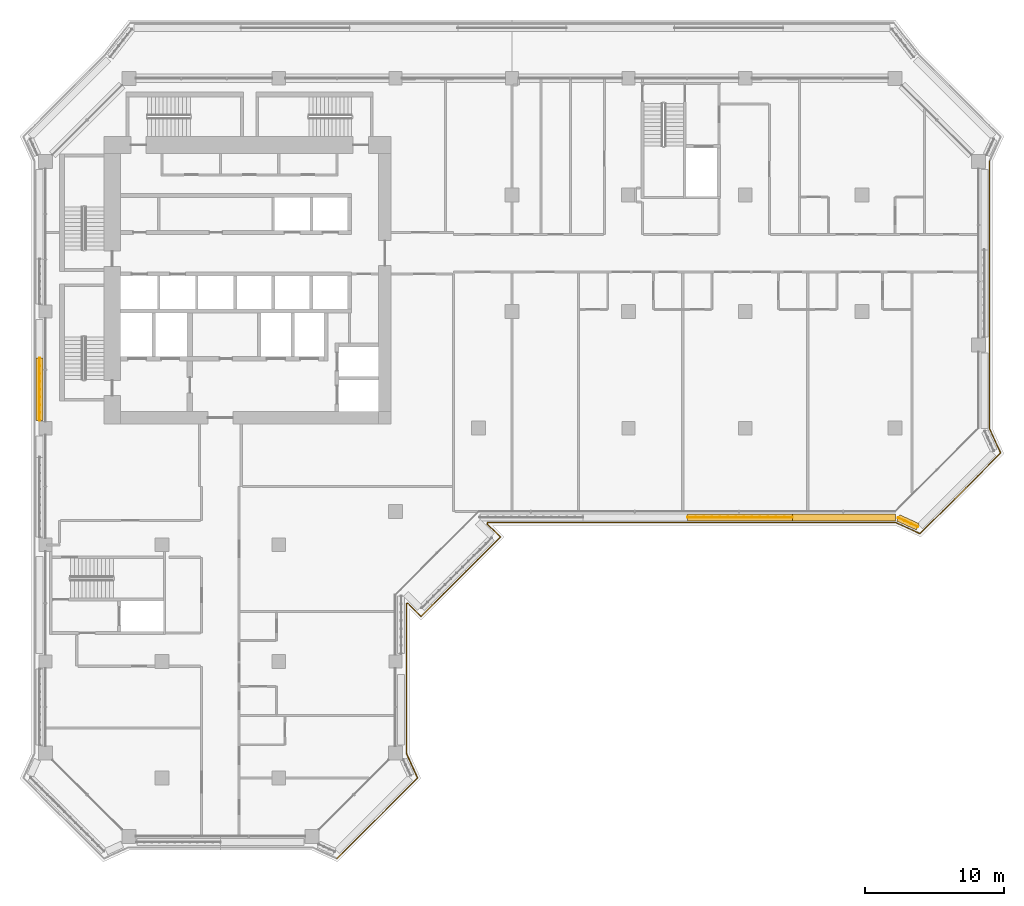
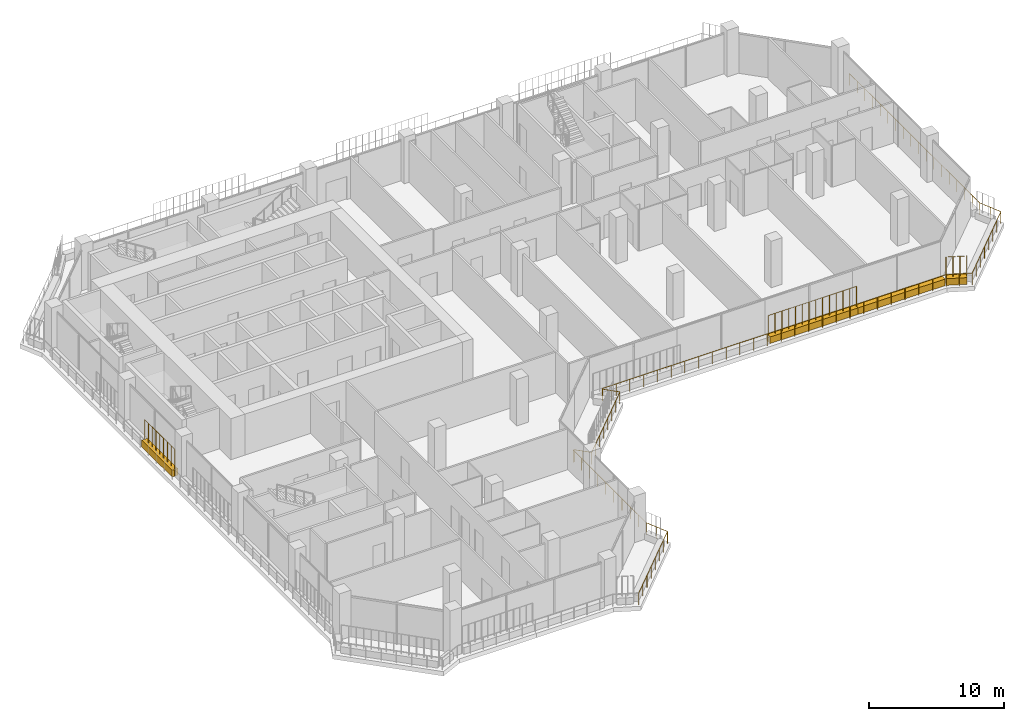
# One storey, part 19 of 22: 4 coverings, 4 railings.
"""IFC4 building model written with IfcOpenShell, lengths in metres."""

from ifc_helpers import new_model, si_unit, direction, frame, origin, origin_2d, place, context, subcontext, project, spatial, rectangle, circle, extrude, material, material_profile, profile_set, type_object, element, save


model = new_model("IFC4")

# Units and contexts
model_context = context("Model", 3, precision=1e-05, world=origin(), true_north=direction((0.0, 1.0)))
body_context = subcontext(model_context, "Body", "Model", "MODEL_VIEW")
ifc_project = project(units=[si_unit("LENGTHUNIT", "METRE"), si_unit("AREAUNIT", "SQUARE_METRE"), si_unit("VOLUMEUNIT", "CUBIC_METRE"), si_unit("PLANEANGLEUNIT", "RADIAN"), si_unit("MASSUNIT", "GRAM", prefix="KILO")], contexts=[model_context])

# Site, building, storey
site_placement = place(None, origin())
site = spatial("IfcSite", under=ifc_project, at=site_placement, CompositionType="ELEMENT")
building_placement = place(site_placement, origin())
building = spatial("IfcBuilding", under=site, at=building_placement, Name="Kawkab Arch Medical Tower", CompositionType="ELEMENT")
storey_placement = place(building_placement, frame((0.0, 0.0, 208.800048828125)))
storey = spatial("IfcBuildingStorey", under=building, at=storey_placement, Name="L48", CompositionType="ELEMENT", Elevation=208.800048828125)

# Railing
ifc_material_1 = material(Name="Bronze anodised aluminium guard", Category="aluminium")
railing_type_1 = type_object("IfcRailingType", Name="Loggia and terrace guard 1100", PredefinedType="GUARDRAIL", material=ifc_material_1)
railing_1_placement = place(storey_placement, frame((68.0, -5.95703125, 0.0)))
element("IfcRailing", 1, at=railing_1_placement, inside=storey, type_object=railing_type_1, Name="Guard L48.LOG-01.1.2", PredefinedType="GUARDRAIL", context=body_context, shape_type="SweptSolid", body=[
    extrude(circle(Radius=0.02392578125, at=origin_2d()), frame((0.0, 0.0, 1.076171875), z_axis=(0.0, -1.0, 0.0), x_axis=(1.0, 0.0, 0.0)), (0.0, 0.0, 1.0), 19.285888671875),
    extrude(circle(Radius=0.02392578125, at=origin_2d()), frame((0.0, -19.285888671875, 1.076171875), z_axis=(0.414509773934, -0.910044860056, 0.0), x_axis=(0.910044860056, 0.414509773934, 0.0)), (0.0, 0.0, 1.0), 1.92529296875),
    extrude(circle(Radius=0.02392578125, at=origin_2d()), frame((0.798095703125, -21.0380859375, 1.076171875), z_axis=(-0.707106781187, -0.707106781187, 0.0), x_axis=(0.707106781187, -0.707106781187, 0.0)), (0.0, 0.0, 1.0), 8.20654296875),
    extrude(circle(Radius=0.02392578125, at=origin_2d()), frame((-5.0048828125, -26.841064453125, 1.076171875), z_axis=(-0.910044860056, 0.414509773934, 0.0), x_axis=(-0.414509773934, -0.910044860056, 0.0)), (0.0, 0.0, 1.0), 1.92529296875),
    extrude(circle(Radius=0.02392578125, at=origin_2d()), frame((-6.757080078125, -26.04296875, 1.076171875), z_axis=(-1.0, 0.0, 0.0), x_axis=(0.0, -1.0, 0.0)), (0.0, 0.0, 1.0), 29.392822265625),
    extrude(circle(Radius=0.02392578125, at=origin_2d()), frame((-36.14990234375, -26.04296875, 1.076171875), z_axis=(-0.383763674343, -0.923431341387, 0.0), x_axis=(0.923431341387, -0.383763674343, 0.0)), (0.0, 0.0, 1.0), 0.101806640625),
    extrude(circle(Radius=0.02392578125, at=origin_2d()), frame((-36.18896484375, -26.136962890625, 1.076171875), z_axis=(0.707015335112, -0.707198215437, 0.0), x_axis=(0.707198215437, 0.707015335112, 0.0)), (0.0, 0.0, 1.0), 1.3349609375),
    extrude(circle(Radius=0.02392578125, at=origin_2d()), frame((-35.2451171875, -27.0810546875, 1.076171875), z_axis=(-0.707106781187, -0.707106781187, 0.0), x_axis=(0.707106781187, -0.707106781187, 0.0)), (0.0, 0.0, 1.0), 8.084716796875),
    extrude(circle(Radius=0.02392578125, at=origin_2d()), frame((-40.9619140625, -32.7978515625, 1.076171875), z_axis=(-0.707198215437, 0.707015335112, 0.0), x_axis=(-0.707015335112, -0.707198215437, 0.0)), (0.0, 0.0, 1.0), 1.3349609375),
    extrude(circle(Radius=0.02392578125, at=origin_2d()), frame((-41.906005859375, -31.85400390625, 1.076171875), z_axis=(-0.923431341387, -0.383763674343, 0.0), x_axis=(0.383763674343, -0.923431341387, 0.0)), (0.0, 0.0, 1.0), 0.101806640625),
    extrude(circle(Radius=0.02392578125, at=origin_2d()), frame((-42.0, -31.89306640625, 1.076171875), z_axis=(0.0, -1.0, 0.0), x_axis=(1.0, 0.0, 0.0)), (0.0, 0.0, 1.0), 10.79296875),
    extrude(circle(Radius=0.02392578125, at=origin_2d()), frame((-42.0, -42.68603515625, 1.076171875), z_axis=(0.414557610759, -0.910023069687, 0.0), x_axis=(0.910023069687, 0.414557610759, 0.0)), (0.0, 0.0, 1.0), 1.92529296875),
    extrude(circle(Radius=0.02392578125, at=origin_2d()), frame((-41.201904296875, -44.43798828125, 1.076171875), z_axis=(-0.707106781187, -0.707106781187, 0.0), x_axis=(0.707106781187, -0.707106781187, 0.0)), (0.0, 0.0, 1.0), 8.20654296875),
    extrude(circle(Radius=0.02099609375, at=origin_2d()), origin(), (0.0, 0.0, 1.0), 1.052001953125),
    extrude(circle(Radius=0.02099609375, at=origin_2d()), frame((0.0, -1.134521484375, 0.0)), (0.0, 0.0, 1.0), 1.052001953125),
    extrude(circle(Radius=0.02099609375, at=origin_2d()), frame((0.0, -2.26904296875, 0.0)), (0.0, 0.0, 1.0), 1.052001953125),
    extrude(circle(Radius=0.02099609375, at=origin_2d()), frame((0.0, -3.4033203125, 0.0)), (0.0, 0.0, 1.0), 1.052001953125),
    extrude(circle(Radius=0.02099609375, at=origin_2d()), frame((0.0, -4.537841796875, 0.0)), (0.0, 0.0, 1.0), 1.052001953125),
    extrude(circle(Radius=0.02099609375, at=origin_2d()), frame((0.0, -5.67236328125, 0.0)), (0.0, 0.0, 1.0), 1.052001953125),
    extrude(circle(Radius=0.02099609375, at=origin_2d()), frame((0.0, -6.806884765625, 0.0)), (0.0, 0.0, 1.0), 1.052001953125),
    extrude(circle(Radius=0.02099609375, at=origin_2d()), frame((0.0, -7.941162109375, 0.0)), (0.0, 0.0, 1.0), 1.052001953125),
    extrude(circle(Radius=0.02099609375, at=origin_2d()), frame((0.0, -9.07568359375, 0.0)), (0.0, 0.0, 1.0), 1.052001953125),
    extrude(circle(Radius=0.02099609375, at=origin_2d()), frame((0.0, -10.210205078125, 0.0)), (0.0, 0.0, 1.0), 1.052001953125),
    extrude(circle(Radius=0.02099609375, at=origin_2d()), frame((0.0, -11.3447265625, 0.0)), (0.0, 0.0, 1.0), 1.052001953125),
    extrude(circle(Radius=0.02099609375, at=origin_2d()), frame((0.0, -12.47900390625, 0.0)), (0.0, 0.0, 1.0), 1.052001953125),
    extrude(circle(Radius=0.02099609375, at=origin_2d()), frame((0.0, -13.613525390625, 0.0)), (0.0, 0.0, 1.0), 1.052001953125),
    extrude(circle(Radius=0.02099609375, at=origin_2d()), frame((0.0, -14.748046875, 0.0)), (0.0, 0.0, 1.0), 1.052001953125),
    extrude(circle(Radius=0.02099609375, at=origin_2d()), frame((0.0, -15.882568359375, 0.0)), (0.0, 0.0, 1.0), 1.052001953125),
    extrude(circle(Radius=0.02099609375, at=origin_2d()), frame((0.0, -17.016845703125, 0.0)), (0.0, 0.0, 1.0), 1.052001953125),
    extrude(circle(Radius=0.02099609375, at=origin_2d()), frame((0.0, -18.1513671875, 0.0)), (0.0, 0.0, 1.0), 1.052001953125),
    extrude(circle(Radius=0.02099609375, at=origin_2d()), frame((0.0, -19.285888671875, 0.0)), (0.0, 0.0, 1.0), 1.052001953125),
    extrude(circle(Radius=0.02099609375, at=origin_2d()), frame((0.39892578125, -20.162109375, 0.0)), (0.0, 0.0, 1.0), 1.052001953125),
    extrude(circle(Radius=0.02099609375, at=origin_2d()), frame((0.798095703125, -21.0380859375, 0.0)), (0.0, 0.0, 1.0), 1.052001953125),
    extrude(circle(Radius=0.02099609375, at=origin_2d()), frame((-0.031005859375, -21.8671875, 0.0)), (0.0, 0.0, 1.0), 1.052001953125),
    extrude(circle(Radius=0.02099609375, at=origin_2d()), frame((-0.85986328125, -22.696044921875, 0.0)), (0.0, 0.0, 1.0), 1.052001953125),
    extrude(circle(Radius=0.02099609375, at=origin_2d()), frame((-1.68896484375, -23.525146484375, 0.0)), (0.0, 0.0, 1.0), 1.052001953125),
    extrude(circle(Radius=0.02099609375, at=origin_2d()), frame((-2.517822265625, -24.35400390625, 0.0)), (0.0, 0.0, 1.0), 1.052001953125),
    extrude(circle(Radius=0.02099609375, at=origin_2d()), frame((-3.346923828125, -25.18310546875, 0.0)), (0.0, 0.0, 1.0), 1.052001953125),
    extrude(circle(Radius=0.02099609375, at=origin_2d()), frame((-4.17578125, -26.011962890625, 0.0)), (0.0, 0.0, 1.0), 1.052001953125),
    extrude(circle(Radius=0.02099609375, at=origin_2d()), frame((-5.0048828125, -26.841064453125, 0.0)), (0.0, 0.0, 1.0), 1.052001953125),
    extrude(circle(Radius=0.02099609375, at=origin_2d()), frame((-5.880859375, -26.44189453125, 0.0)), (0.0, 0.0, 1.0), 1.052001953125),
    extrude(circle(Radius=0.02099609375, at=origin_2d()), frame((-6.757080078125, -26.04296875, 0.0)), (0.0, 0.0, 1.0), 1.052001953125),
    extrude(circle(Radius=0.02099609375, at=origin_2d()), frame((-7.932861328125, -26.04296875, 0.0)), (0.0, 0.0, 1.0), 1.052001953125),
    extrude(circle(Radius=0.02099609375, at=origin_2d()), frame((-9.1083984375, -26.04296875, 0.0)), (0.0, 0.0, 1.0), 1.052001953125),
    extrude(circle(Radius=0.02099609375, at=origin_2d()), frame((-10.2841796875, -26.04296875, 0.0)), (0.0, 0.0, 1.0), 1.052001953125),
    extrude(circle(Radius=0.02099609375, at=origin_2d()), frame((-11.4599609375, -26.04296875, 0.0)), (0.0, 0.0, 1.0), 1.052001953125),
    extrude(circle(Radius=0.02099609375, at=origin_2d()), frame((-12.6357421875, -26.04296875, 0.0)), (0.0, 0.0, 1.0), 1.052001953125),
    extrude(circle(Radius=0.02099609375, at=origin_2d()), frame((-13.811279296875, -26.04296875, 0.0)), (0.0, 0.0, 1.0), 1.052001953125),
    extrude(circle(Radius=0.02099609375, at=origin_2d()), frame((-14.987060546875, -26.04296875, 0.0)), (0.0, 0.0, 1.0), 1.052001953125),
    extrude(circle(Radius=0.02099609375, at=origin_2d()), frame((-16.162841796875, -26.04296875, 0.0)), (0.0, 0.0, 1.0), 1.052001953125),
    extrude(circle(Radius=0.02099609375, at=origin_2d()), frame((-17.33837890625, -26.04296875, 0.0)), (0.0, 0.0, 1.0), 1.052001953125),
    extrude(circle(Radius=0.02099609375, at=origin_2d()), frame((-18.51416015625, -26.04296875, 0.0)), (0.0, 0.0, 1.0), 1.052001953125),
    extrude(circle(Radius=0.02099609375, at=origin_2d()), frame((-19.68994140625, -26.04296875, 0.0)), (0.0, 0.0, 1.0), 1.052001953125),
    extrude(circle(Radius=0.02099609375, at=origin_2d()), frame((-20.86572265625, -26.04296875, 0.0)), (0.0, 0.0, 1.0), 1.052001953125),
    extrude(circle(Radius=0.02099609375, at=origin_2d()), frame((-22.041259765625, -26.04296875, 0.0)), (0.0, 0.0, 1.0), 1.052001953125),
    extrude(circle(Radius=0.02099609375, at=origin_2d()), frame((-23.217041015625, -26.04296875, 0.0)), (0.0, 0.0, 1.0), 1.052001953125),
    extrude(circle(Radius=0.02099609375, at=origin_2d()), frame((-24.392822265625, -26.04296875, 0.0)), (0.0, 0.0, 1.0), 1.052001953125),
    extrude(circle(Radius=0.02099609375, at=origin_2d()), frame((-25.568603515625, -26.04296875, 0.0)), (0.0, 0.0, 1.0), 1.052001953125),
    extrude(circle(Radius=0.02099609375, at=origin_2d()), frame((-26.744140625, -26.04296875, 0.0)), (0.0, 0.0, 1.0), 1.052001953125),
    extrude(circle(Radius=0.02099609375, at=origin_2d()), frame((-27.919921875, -26.04296875, 0.0)), (0.0, 0.0, 1.0), 1.052001953125),
    extrude(circle(Radius=0.02099609375, at=origin_2d()), frame((-29.095703125, -26.04296875, 0.0)), (0.0, 0.0, 1.0), 1.052001953125),
    extrude(circle(Radius=0.02099609375, at=origin_2d()), frame((-30.271240234375, -26.04296875, 0.0)), (0.0, 0.0, 1.0), 1.052001953125),
    extrude(circle(Radius=0.02099609375, at=origin_2d()), frame((-31.447021484375, -26.04296875, 0.0)), (0.0, 0.0, 1.0), 1.052001953125),
    extrude(circle(Radius=0.02099609375, at=origin_2d()), frame((-32.622802734375, -26.04296875, 0.0)), (0.0, 0.0, 1.0), 1.052001953125),
    extrude(circle(Radius=0.02099609375, at=origin_2d()), frame((-33.798583984375, -26.04296875, 0.0)), (0.0, 0.0, 1.0), 1.052001953125),
    extrude(circle(Radius=0.02099609375, at=origin_2d()), frame((-34.97412109375, -26.04296875, 0.0)), (0.0, 0.0, 1.0), 1.052001953125),
    extrude(circle(Radius=0.02099609375, at=origin_2d()), frame((-36.14990234375, -26.04296875, 0.0)), (0.0, 0.0, 1.0), 1.052001953125),
    extrude(circle(Radius=0.02099609375, at=origin_2d()), frame((-36.18896484375, -26.136962890625, 0.0)), (0.0, 0.0, 1.0), 1.052001953125),
    extrude(circle(Radius=0.02099609375, at=origin_2d()), frame((-35.717041015625, -26.60888671875, 0.0)), (0.0, 0.0, 1.0), 1.052001953125),
    extrude(circle(Radius=0.02099609375, at=origin_2d()), frame((-35.2451171875, -27.0810546875, 0.0)), (0.0, 0.0, 1.0), 1.052001953125),
    extrude(circle(Radius=0.02099609375, at=origin_2d()), frame((-36.061767578125, -27.897705078125, 0.0)), (0.0, 0.0, 1.0), 1.052001953125),
    extrude(circle(Radius=0.02099609375, at=origin_2d()), frame((-36.87841796875, -28.71435546875, 0.0)), (0.0, 0.0, 1.0), 1.052001953125),
    extrude(circle(Radius=0.02099609375, at=origin_2d()), frame((-37.695068359375, -29.531005859375, 0.0)), (0.0, 0.0, 1.0), 1.052001953125),
    extrude(circle(Radius=0.02099609375, at=origin_2d()), frame((-38.511962890625, -30.347900390625, 0.0)), (0.0, 0.0, 1.0), 1.052001953125),
    extrude(circle(Radius=0.02099609375, at=origin_2d()), frame((-39.32861328125, -31.16455078125, 0.0)), (0.0, 0.0, 1.0), 1.052001953125),
    extrude(circle(Radius=0.02099609375, at=origin_2d()), frame((-40.145263671875, -31.981201171875, 0.0)), (0.0, 0.0, 1.0), 1.052001953125),
    extrude(circle(Radius=0.02099609375, at=origin_2d()), frame((-40.9619140625, -32.7978515625, 0.0)), (0.0, 0.0, 1.0), 1.052001953125),
    extrude(circle(Radius=0.02099609375, at=origin_2d()), frame((-41.43408203125, -32.325927734375, 0.0)), (0.0, 0.0, 1.0), 1.052001953125),
    extrude(circle(Radius=0.02099609375, at=origin_2d()), frame((-41.906005859375, -31.85400390625, 0.0)), (0.0, 0.0, 1.0), 1.052001953125),
    extrude(circle(Radius=0.02099609375, at=origin_2d()), frame((-42.0, -31.89306640625, 0.0)), (0.0, 0.0, 1.0), 1.052001953125),
    extrude(circle(Radius=0.02099609375, at=origin_2d()), frame((-42.0, -33.09228515625, 0.0)), (0.0, 0.0, 1.0), 1.052001953125),
    extrude(circle(Radius=0.02099609375, at=origin_2d()), frame((-42.0, -34.29150390625, 0.0)), (0.0, 0.0, 1.0), 1.052001953125),
    extrude(circle(Radius=0.02099609375, at=origin_2d()), frame((-42.0, -35.49072265625, 0.0)), (0.0, 0.0, 1.0), 1.052001953125),
    extrude(circle(Radius=0.02099609375, at=origin_2d()), frame((-42.0, -36.68994140625, 0.0)), (0.0, 0.0, 1.0), 1.052001953125),
    extrude(circle(Radius=0.02099609375, at=origin_2d()), frame((-42.0, -37.88916015625, 0.0)), (0.0, 0.0, 1.0), 1.052001953125),
    extrude(circle(Radius=0.02099609375, at=origin_2d()), frame((-42.0, -39.08837890625, 0.0)), (0.0, 0.0, 1.0), 1.052001953125),
    extrude(circle(Radius=0.02099609375, at=origin_2d()), frame((-42.0, -40.28759765625, 0.0)), (0.0, 0.0, 1.0), 1.052001953125),
    extrude(circle(Radius=0.02099609375, at=origin_2d()), frame((-42.0, -41.48681640625, 0.0)), (0.0, 0.0, 1.0), 1.052001953125),
    extrude(circle(Radius=0.02099609375, at=origin_2d()), frame((-42.0, -42.68603515625, 0.0)), (0.0, 0.0, 1.0), 1.052001953125),
    extrude(circle(Radius=0.02099609375, at=origin_2d()), frame((-41.60107421875, -43.56201171875, 0.0)), (0.0, 0.0, 1.0), 1.052001953125),
    extrude(circle(Radius=0.02099609375, at=origin_2d()), frame((-41.201904296875, -44.43798828125, 0.0)), (0.0, 0.0, 1.0), 1.052001953125),
    extrude(circle(Radius=0.02099609375, at=origin_2d()), frame((-42.031005859375, -45.26708984375, 0.0)), (0.0, 0.0, 1.0), 1.052001953125),
    extrude(circle(Radius=0.02099609375, at=origin_2d()), frame((-42.85986328125, -46.095947265625, 0.0)), (0.0, 0.0, 1.0), 1.052001953125),
    extrude(circle(Radius=0.02099609375, at=origin_2d()), frame((-43.68896484375, -46.925048828125, 0.0)), (0.0, 0.0, 1.0), 1.052001953125),
    extrude(circle(Radius=0.02099609375, at=origin_2d()), frame((-44.517822265625, -47.75390625, 0.0)), (0.0, 0.0, 1.0), 1.052001953125),
    extrude(circle(Radius=0.02099609375, at=origin_2d()), frame((-45.346923828125, -48.5830078125, 0.0)), (0.0, 0.0, 1.0), 1.052001953125),
    extrude(circle(Radius=0.02099609375, at=origin_2d()), frame((-46.17578125, -49.411865234375, 0.0)), (0.0, 0.0, 1.0), 1.052001953125),
    extrude(circle(Radius=0.02099609375, at=origin_2d()), frame((-47.0048828125, -50.240966796875, 0.0)), (0.0, 0.0, 1.0), 1.052001953125),
])

# Coverings
ifc_material_2 = material(Name="Planting soil in a precast trough", Category="concrete")
ifc_material_profile = material_profile(ifc_material_2, rectangle(XDim=0.5, YDim=0.60009765625, at=origin_2d()), Name="Trough 500x600")
ifc_profile_set = profile_set([ifc_material_profile], Name="Planting soil in a precast trough")
covering_type = type_object("IfcCoveringType", Name="Planter trough 500 x 600", PredefinedType="USERDEFINED", material=ifc_profile_set)
covering_1_placement = place(storey_placement, frame((-0.419921875, -24.64501953125, 0.300048828125), z_axis=(0.0, 1.0, 0.0), x_axis=(-1.0, 0.0, 0.0)))
element("IfcCovering", 2, at=covering_1_placement, inside=storey, type_object=covering_type, Name="Planter L48.LOG-01-01.11", ObjectType="PLANTER", PredefinedType="USERDEFINED", context=body_context, shape_type="SweptSolid", body=[
    extrude(rectangle(XDim=0.5, YDim=0.60009765625, at=origin_2d()), origin(), (0.0, 0.0, 1.0), 4.487060546875),
])
covering_2_placement = place(storey_placement, frame((62.821044921875, -32.302001953125, 0.300048828125), z_axis=(-0.909655525109, 0.415363486165, 0.0), x_axis=(-0.415363486165, -0.909655525109, 0.0)))
element("IfcCovering", 3, at=covering_2_placement, inside=storey, type_object=covering_type, Name="Planter L48.LOG-01-01.33", ObjectType="PLANTER", PredefinedType="USERDEFINED", context=body_context, shape_type="SweptSolid", body=[
    extrude(rectangle(XDim=0.5, YDim=0.60009765625, at=origin_2d()), origin(), (0.0, 0.0, 1.0), 1.54345703125),
])
covering_3_placement = place(storey_placement, frame((61.22607421875, -31.6201171875, 0.300048828125), z_axis=(-1.0, 0.0, 0.0), x_axis=(0.0, -1.0, 0.0)))
element("IfcCovering", 4, at=covering_3_placement, inside=storey, type_object=covering_type, Name="Planter L48.LOG-01-01.34", ObjectType="PLANTER", PredefinedType="USERDEFINED", context=body_context, shape_type="SweptSolid", body=[
    extrude(rectangle(XDim=0.5, YDim=0.60009765625, at=origin_2d()), origin(), (0.0, 0.0, 1.0), 7.43505859375),
])
covering_4_placement = place(storey_placement, frame((53.791015625, -31.6201171875, 0.300048828125), z_axis=(-1.0, 0.0, 0.0), x_axis=(0.0, -1.0, 0.0)))
element("IfcCovering", 5, at=covering_4_placement, inside=storey, type_object=covering_type, Name="Planter L48.LOG-01-01.35", ObjectType="PLANTER", PredefinedType="USERDEFINED", context=body_context, shape_type="SweptSolid", body=[
    extrude(rectangle(XDim=0.5, YDim=0.60009765625, at=origin_2d()), origin(), (0.0, 0.0, 1.0), 7.5361328125),
])

# Railings
ifc_material_3 = material(Name="Bronze anodised aluminium trellis for climbing plants", Category="aluminium")
railing_type_2 = type_object("IfcRailingType", Name="Planting trellis 2400", PredefinedType="USERDEFINED", material=ifc_material_3)
railing_2_placement = place(storey_placement, frame((-0.419921875, -24.64501953125, 0.0)))
element("IfcRailing", 6, at=railing_2_placement, inside=storey, type_object=railing_type_2, Name="Planting trellis L48.LOG-01-01.11", ObjectType="TRELLIS", PredefinedType="USERDEFINED", context=body_context, shape_type="SweptSolid", body=[
    extrude(circle(Radius=0.01513671875, at=origin_2d()), frame((0.0, 0.0, 2.384765625), z_axis=(0.0, 1.0, 0.0), x_axis=(-1.0, 0.0, 0.0)), (0.0, 0.0, 1.0), 4.487060546875),
    extrude(circle(Radius=0.030029296875, at=origin_2d()), origin(), (0.0, 0.0, 1.0), 2.369873046875),
    extrude(circle(Radius=0.030029296875, at=origin_2d()), frame((0.0, 0.560791015625, 0.0)), (0.0, 0.0, 1.0), 2.369873046875),
    extrude(circle(Radius=0.030029296875, at=origin_2d()), frame((0.0, 1.121826171875, 0.0)), (0.0, 0.0, 1.0), 2.369873046875),
    extrude(circle(Radius=0.030029296875, at=origin_2d()), frame((0.0, 1.6826171875, 0.0)), (0.0, 0.0, 1.0), 2.369873046875),
    extrude(circle(Radius=0.030029296875, at=origin_2d()), frame((0.0, 2.24365234375, 0.0)), (0.0, 0.0, 1.0), 2.369873046875),
    extrude(circle(Radius=0.030029296875, at=origin_2d()), frame((0.0, 2.804443359375, 0.0)), (0.0, 0.0, 1.0), 2.369873046875),
    extrude(circle(Radius=0.030029296875, at=origin_2d()), frame((0.0, 3.365234375, 0.0)), (0.0, 0.0, 1.0), 2.369873046875),
    extrude(circle(Radius=0.030029296875, at=origin_2d()), frame((0.0, 3.92626953125, 0.0)), (0.0, 0.0, 1.0), 2.369873046875),
    extrude(circle(Radius=0.030029296875, at=origin_2d()), frame((0.0, 4.487060546875, 0.0)), (0.0, 0.0, 1.0), 2.369873046875),
])
railing_3_placement = place(storey_placement, frame((62.821044921875, -32.302001953125, 0.0)))
element("IfcRailing", 7, at=railing_3_placement, inside=storey, type_object=railing_type_2, Name="Planting trellis L48.LOG-01-01.33", ObjectType="TRELLIS", PredefinedType="USERDEFINED", context=body_context, shape_type="SweptSolid", body=[
    extrude(circle(Radius=0.01513671875, at=origin_2d()), frame((0.0, 0.0, 2.384765625), z_axis=(-0.909655525109, 0.415363486165, 0.0), x_axis=(-0.415363486165, -0.909655525109, 0.0)), (0.0, 0.0, 1.0), 1.54345703125),
    extrude(circle(Radius=0.030029296875, at=origin_2d()), origin(), (0.0, 0.0, 1.0), 2.369873046875),
    extrude(circle(Radius=0.030029296875, at=origin_2d()), frame((-0.468017578125, 0.213623046875, 0.0)), (0.0, 0.0, 1.0), 2.369873046875),
    extrude(circle(Radius=0.030029296875, at=origin_2d()), frame((-0.93603515625, 0.427490234375, 0.0)), (0.0, 0.0, 1.0), 2.369873046875),
    extrude(circle(Radius=0.030029296875, at=origin_2d()), frame((-1.404052734375, 0.64111328125, 0.0)), (0.0, 0.0, 1.0), 2.369873046875),
])
railing_4_placement = place(storey_placement, frame((53.791015625, -31.6201171875, 0.0)))
element("IfcRailing", 8, at=railing_4_placement, inside=storey, type_object=railing_type_2, Name="Planting trellis L48.LOG-01-01.35", ObjectType="TRELLIS", PredefinedType="USERDEFINED", context=body_context, shape_type="SweptSolid", body=[
    extrude(circle(Radius=0.01513671875, at=origin_2d()), frame((0.0, 0.0, 2.384765625), z_axis=(-1.0, 0.0, 0.0), x_axis=(0.0, -1.0, 0.0)), (0.0, 0.0, 1.0), 7.5361328125),
    extrude(circle(Radius=0.030029296875, at=origin_2d()), origin(), (0.0, 0.0, 1.0), 2.369873046875),
    extrude(circle(Radius=0.030029296875, at=origin_2d()), frame((-0.57958984375, 0.0, 0.0)), (0.0, 0.0, 1.0), 2.369873046875),
    extrude(circle(Radius=0.030029296875, at=origin_2d()), frame((-1.159423828125, 0.0, 0.0)), (0.0, 0.0, 1.0), 2.369873046875),
    extrude(circle(Radius=0.030029296875, at=origin_2d()), frame((-1.739013671875, 0.0, 0.0)), (0.0, 0.0, 1.0), 2.369873046875),
    extrude(circle(Radius=0.030029296875, at=origin_2d()), frame((-2.31884765625, 0.0, 0.0)), (0.0, 0.0, 1.0), 2.369873046875),
    extrude(circle(Radius=0.030029296875, at=origin_2d()), frame((-2.8984375, 0.0, 0.0)), (0.0, 0.0, 1.0), 2.369873046875),
    extrude(circle(Radius=0.030029296875, at=origin_2d()), frame((-3.478271484375, 0.0, 0.0)), (0.0, 0.0, 1.0), 2.369873046875),
    extrude(circle(Radius=0.030029296875, at=origin_2d()), frame((-4.057861328125, 0.0, 0.0)), (0.0, 0.0, 1.0), 2.369873046875),
    extrude(circle(Radius=0.030029296875, at=origin_2d()), frame((-4.6376953125, 0.0, 0.0)), (0.0, 0.0, 1.0), 2.369873046875),
    extrude(circle(Radius=0.030029296875, at=origin_2d()), frame((-5.21728515625, 0.0, 0.0)), (0.0, 0.0, 1.0), 2.369873046875),
    extrude(circle(Radius=0.030029296875, at=origin_2d()), frame((-5.797119140625, 0.0, 0.0)), (0.0, 0.0, 1.0), 2.369873046875),
    extrude(circle(Radius=0.030029296875, at=origin_2d()), frame((-6.376708984375, 0.0, 0.0)), (0.0, 0.0, 1.0), 2.369873046875),
    extrude(circle(Radius=0.030029296875, at=origin_2d()), frame((-6.95654296875, 0.0, 0.0)), (0.0, 0.0, 1.0), 2.369873046875),
    extrude(circle(Radius=0.030029296875, at=origin_2d()), frame((-7.5361328125, 0.0, 0.0)), (0.0, 0.0, 1.0), 2.369873046875),
])

save(model, "model.ifc")
